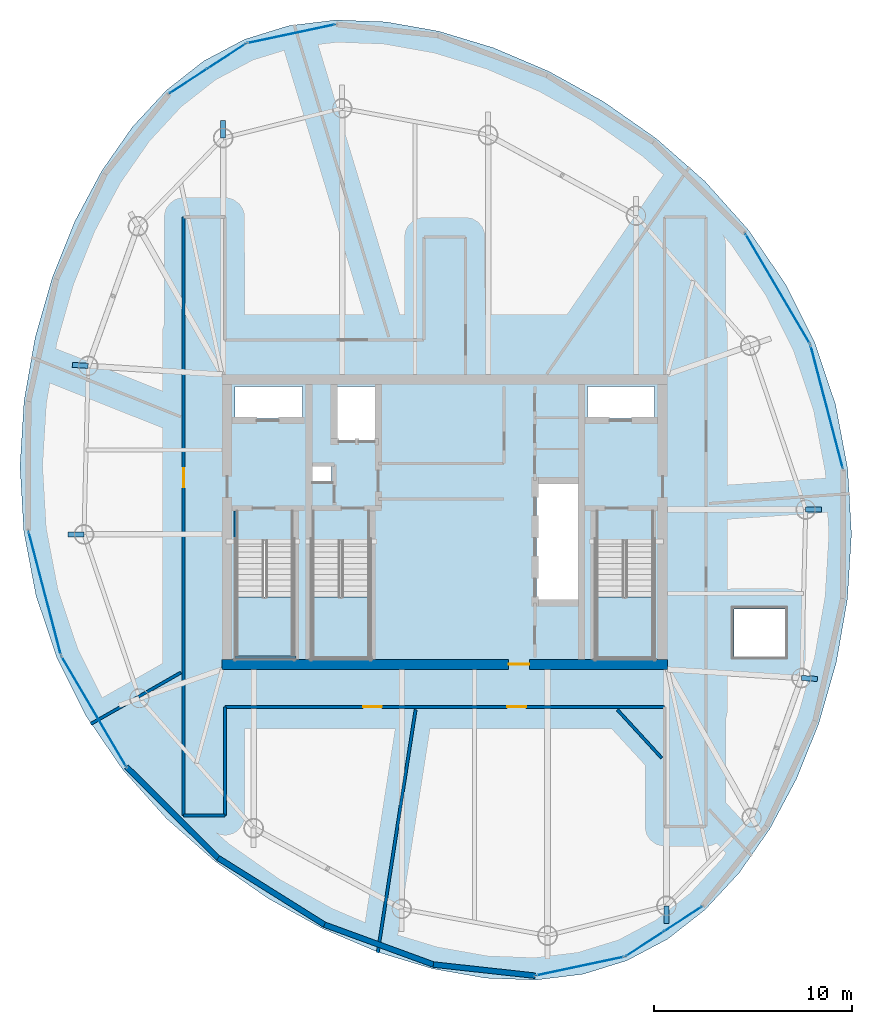
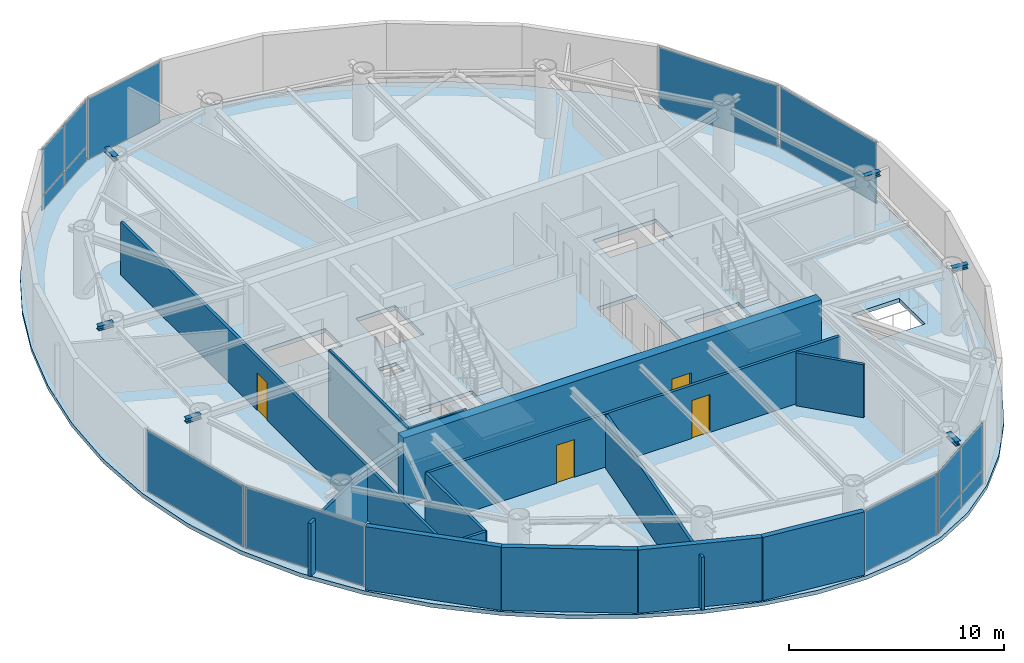
# One storey, part 14 of 20: 14 plates, 14 walls, 6 beams, 4 doors, 4 slabs, 4 openings, 11 elements without a shape of their own.
"""IFC4 building model written with IfcOpenShell, lengths in metres."""

from ifc_helpers import new_model, si_unit, direction, frame, frame_2d, origin, origin_2d, place, context, subcontext, project, spatial, polyline, rectangle, i_section, outline, extrude, material, layer, layer_set, material_profile, profile_set, type_object, element, fill, aggregate, save


model = new_model("IFC4")

# Units and contexts
model_context = context("Model", 3, precision=1e-05, world=origin(), true_north=direction((0.0, 1.0)))
body_context = subcontext(model_context, "Body", "Model", "MODEL_VIEW")
ifc_project = project(units=[si_unit("LENGTHUNIT", "METRE"), si_unit("AREAUNIT", "SQUARE_METRE"), si_unit("VOLUMEUNIT", "CUBIC_METRE"), si_unit("PLANEANGLEUNIT", "RADIAN"), si_unit("MASSUNIT", "GRAM", prefix="KILO")], contexts=[model_context])

# Site, building, storey
site_placement = place(None, origin())
site = spatial("IfcSite", under=ifc_project, at=site_placement, CompositionType="ELEMENT")
building_placement = place(site_placement, origin())
building = spatial("IfcBuilding", under=site, at=building_placement, Name="Bramvorn Convention Spire", CompositionType="ELEMENT")
storey_placement = place(building_placement, frame((0.0, 0.0, 303.64990234375)))
storey = spatial("IfcBuildingStorey", under=building, at=storey_placement, Name="L77", CompositionType="ELEMENT", Elevation=303.64990234375)

# Beams
ifc_material_1 = material(Name="Steel CSA G40.21 Grade 350 (350W)", Category="steel")
ifc_material_profile = material_profile(ifc_material_1, i_section(OverallWidth=0.25390625, OverallDepth=0.2529296875, WebThickness=0.008544921875, FlangeThickness=0.01416015625, FilletRadius=0.011962890625, at=origin_2d()))
ifc_profile_set = profile_set([ifc_material_profile], Name="Steel CSA G40.21 Grade 350 (350W) - W250X73")
beam_type = type_object("IfcBeamType", Name="BM-W250X73", PredefinedType="BEAM", material=ifc_profile_set)
beam_1_placement = place(storey_placement, frame((49.199951171875, 6.60107421875, 3.4736328125), z_axis=(0.0, -1.0, 0.0), x_axis=(1.0, 0.0, 0.0)))
element("IfcBeam", 1, at=beam_1_placement, inside=storey, type_object=beam_type, Name="L77 slab-edge cantilever tip beam MC01", PredefinedType="BEAM", context=body_context, shape_type="SweptSolid", body=[
    extrude(i_section(OverallWidth=0.25390625, OverallDepth=0.2529296875, WebThickness=0.008544921875, FlangeThickness=0.01416015625, FilletRadius=0.011962890625, at=origin_2d()), origin(), (0.0, 0.0, 1.0), 0.886474609375),
])
for number, where, z_axis, x_axis, name in (
    (2, (56.023681640625, 18.116455078125, 3.4736328125), (0.997963713083, -0.063784225087, 0.0), (0.063784225087, 0.997963713083, 0.0), "L77 slab-edge cantilever tip beam MC03"),
    (3, (56.234619140625, 26.62939453125, 3.4736328125), (1.0, 0.0, 0.0), (0.0, 1.0, 0.0), "L77 slab-edge cantilever tip beam MC04"),
):
    element("IfcBeam", number, at=place(storey_placement, frame(where, z_axis=z_axis, x_axis=x_axis)), inside=storey, type_object=beam_type, Name=name, PredefinedType="BEAM", context=body_context, shape_type="SweptSolid", body=[
        extrude(i_section(OverallWidth=0.25390625, OverallDepth=0.2529296875, WebThickness=0.008544921875, FlangeThickness=0.01416015625, FilletRadius=0.011962890625, at=origin_2d()), origin(), (0.0, 0.0, 1.0), 0.800048828125),
    ])
beam_2_placement = place(storey_placement, frame((26.800048828125, 45.39892578125, 3.4736328125), z_axis=(0.0, 1.0, 0.0), x_axis=(-1.0, 0.0, 0.0)))
element("IfcBeam", 4, at=beam_2_placement, inside=storey, type_object=beam_type, Name="L77 slab-edge cantilever tip beam MC09", PredefinedType="BEAM", context=body_context, shape_type="SweptSolid", body=[
    extrude(i_section(OverallWidth=0.25390625, OverallDepth=0.2529296875, WebThickness=0.008544921875, FlangeThickness=0.01416015625, FilletRadius=0.011962890625, at=origin_2d()), origin(), (0.0, 0.0, 1.0), 0.886474609375),
])
for number, where, z_axis, x_axis, name in (
    (5, (19.976318359375, 33.883544921875, 3.4736328125), (-0.997963713083, 0.063784225087, 0.0), (-0.063784225087, -0.997963713083, 0.0), "L77 slab-edge cantilever tip beam MC11"),
    (6, (19.765380859375, 25.37060546875, 3.4736328125), (-1.0, 0.0, 0.0), (0.0, -1.0, 0.0), "L77 slab-edge cantilever tip beam MC12"),
):
    element("IfcBeam", number, at=place(storey_placement, frame(where, z_axis=z_axis, x_axis=x_axis)), inside=storey, type_object=beam_type, Name=name, PredefinedType="BEAM", context=body_context, shape_type="SweptSolid", body=[
        extrude(i_section(OverallWidth=0.25390625, OverallDepth=0.2529296875, WebThickness=0.008544921875, FlangeThickness=0.01416015625, FilletRadius=0.011962890625, at=origin_2d()), origin(), (0.0, 0.0, 1.0), 0.800048828125),
    ])

# Curtain wall, plates
ifc_material_2 = material(Name="Anodised Bronze Unitised Curtain Wall", Category="aluminium")
ifc_layer_1 = layer(ifc_material_2, 0.179931640625)
ifc_layer_set_1 = layer_set([ifc_layer_1], Name="Anodised Bronze Unitised Curtain Wall - CW-OFF-FRIT")
curtain_wall_type = type_object("IfcCurtainWallType", Name="CW-OFF-FRIT", PredefinedType="USERDEFINED", material=ifc_layer_set_1)
curtain_wall_1_placement = place(storey_placement, origin())
curtain_wall_1 = element("IfcCurtainWall", 7, at=curtain_wall_1_placement, inside=storey, type_object=curtain_wall_type, Name="L77 fritted glass curtain wall 01", ObjectType="UNITISED CURTAIN WALL", PredefinedType="USERDEFINED")
ifc_material_3 = material(Name="Laminated Low-E Glass (Triple IGU High-VLT Low-Iron 22%)", Category="glass")
ifc_layer_2 = layer(ifc_material_3, 0.0419921875)
ifc_layer_set_2 = layer_set([ifc_layer_2], Name="Laminated Low-E Glass (Triple IGU High-VLT Low-Iron 22%) - PNL-IGU-4")
plate_type = type_object("IfcPlateType", Name="PNL-IGU-4", PredefinedType="CURTAIN_PANEL", material=ifc_layer_set_2)
plate_1_placement = place(storey_placement, frame((50.02880859375, 5.9345703125, 0.06005859375), z_axis=(0.0, 0.0, 1.0), x_axis=(-0.837761567626, -0.546036222066, 0.0)))
plate_1 = element("IfcPlate", 8, at=plate_1_placement, type_object=plate_type, Name="CW3 panel 1.1", PredefinedType="CURTAIN_PANEL", context=body_context, shape_type="SweptSolid", body=[
    extrude(rectangle(XDim=2.2353515625, YDim=0.028076171875, at=origin_2d()), origin(), (0.0, 0.0, 1.0), 0.81005859375),
])
plate_2_placement = place(storey_placement, frame((50.02880859375, 5.9345703125, 0.93017578125), z_axis=(0.0, 0.0, 1.0), x_axis=(-0.837761567626, -0.546036222066, 0.0)))
plate_2 = element("IfcPlate", 9, at=plate_2_placement, type_object=plate_type, Name="CW3 panel 1.2", PredefinedType="CURTAIN_PANEL", context=body_context, shape_type="SweptSolid", body=[
    extrude(rectangle(XDim=2.2353515625, YDim=0.028076171875, at=origin_2d()), origin(), (0.0, 0.0, 1.0), 2.610107421875),
])
plate_3_placement = place(storey_placement, frame((48.10595703125, 4.68115234375, 0.06005859375), z_axis=(0.0, 0.0, 1.0), x_axis=(-0.837761567626, -0.546036222066, 0.0)))
plate_3 = element("IfcPlate", 10, at=plate_3_placement, type_object=plate_type, Name="CW3 panel 2.1", PredefinedType="CURTAIN_PANEL", context=body_context, shape_type="SweptSolid", body=[
    extrude(rectangle(XDim=2.2353515625, YDim=0.028076171875, at=origin_2d()), origin(), (0.0, 0.0, 1.0), 0.81005859375),
])
plate_4_placement = place(storey_placement, frame((48.10595703125, 4.68115234375, 0.93017578125), z_axis=(0.0, 0.0, 1.0), x_axis=(-0.837761567626, -0.546036222066, 0.0)))
plate_4 = element("IfcPlate", 11, at=plate_4_placement, type_object=plate_type, Name="CW3 panel 2.2", PredefinedType="CURTAIN_PANEL", context=body_context, shape_type="SweptSolid", body=[
    extrude(rectangle(XDim=2.2353515625, YDim=0.028076171875, at=origin_2d()), origin(), (0.0, 0.0, 1.0), 2.610107421875),
])
aggregate(curtain_wall_1, [plate_1, plate_2, plate_3, plate_4])

# Curtain wall, plate
curtain_wall_2_placement = place(storey_placement, origin())
curtain_wall_2 = element("IfcCurtainWall", 12, at=curtain_wall_2_placement, inside=storey, type_object=curtain_wall_type, Name="L77 fritted glass curtain wall 06", ObjectType="UNITISED CURTAIN WALL", PredefinedType="USERDEFINED")
plate_5_placement = place(storey_placement, frame((57.29736328125, 31.81201171875, 0.06005859375), z_axis=(0.0, 0.0, 1.0), x_axis=(0.253227619643, -0.967406725556, 0.0)))
plate_5 = element("IfcPlate", 13, at=plate_5_placement, type_object=plate_type, Name="CW3 panel 1.1", PredefinedType="CURTAIN_PANEL", context=body_context, shape_type="SweptSolid", body=[
    extrude(rectangle(XDim=6.406982421875, YDim=0.028076171875, at=origin_2d()), origin(), (0.0, 0.0, 1.0), 3.47998046875),
])
aggregate(curtain_wall_2, [plate_5])

curtain_wall_3_placement = place(storey_placement, origin())
curtain_wall_3 = element("IfcCurtainWall", 14, at=curtain_wall_3_placement, inside=storey, type_object=curtain_wall_type, Name="L77 fritted glass curtain wall 07", ObjectType="UNITISED CURTAIN WALL", PredefinedType="USERDEFINED")
plate_6_placement = place(storey_placement, frame((54.818115234375, 37.783203125, 0.06005859375), z_axis=(0.0, 0.0, 1.0), x_axis=(0.506499786844, -0.862240086013, 0.0)))
plate_6 = element("IfcPlate", 15, at=plate_6_placement, type_object=plate_type, Name="CW3 panel 1.1", PredefinedType="CURTAIN_PANEL", context=body_context, shape_type="SweptSolid", body=[
    extrude(rectangle(XDim=6.406982421875, YDim=0.028076171875, at=origin_2d()), origin(), (0.0, 0.0, 1.0), 3.47998046875),
])
aggregate(curtain_wall_3, [plate_6])

curtain_wall_4_placement = place(storey_placement, origin())
curtain_wall_4 = element("IfcCurtainWall", 16, at=curtain_wall_4_placement, inside=storey, type_object=curtain_wall_type, Name="L77 fritted glass curtain wall 12", ObjectType="UNITISED CURTAIN WALL", PredefinedType="USERDEFINED")
plate_7_placement = place(storey_placement, frame((30.234619140625, 50.662109375, 0.06005859375), z_axis=(0.0, 0.0, 1.0), x_axis=(0.97813534622, 0.207969335421, 0.0)))
plate_7 = element("IfcPlate", 17, at=plate_7_placement, type_object=plate_type, Name="CW3 panel 1.1", PredefinedType="CURTAIN_PANEL", context=body_context, shape_type="SweptSolid", body=[
    extrude(rectangle(XDim=4.53076171875, YDim=0.028076171875, at=origin_2d()), origin(), (0.0, 0.0, 1.0), 3.47998046875),
])
aggregate(curtain_wall_4, [plate_7])

# Curtain wall, plates
curtain_wall_5_placement = place(storey_placement, origin())
curtain_wall_5 = element("IfcCurtainWall", 18, at=curtain_wall_5_placement, inside=storey, type_object=curtain_wall_type, Name="L77 fritted glass curtain wall 13", ObjectType="UNITISED CURTAIN WALL", PredefinedType="USERDEFINED")
plate_8_placement = place(storey_placement, frame((25.05078125, 48.281982421875, 0.06005859375), z_axis=(0.0, 0.0, 1.0), x_axis=(0.837755156336, 0.546046058527, 0.0)))
plate_8 = element("IfcPlate", 19, at=plate_8_placement, type_object=plate_type, Name="CW3 panel 1.1", PredefinedType="CURTAIN_PANEL", context=body_context, shape_type="SweptSolid", body=[
    extrude(rectangle(XDim=2.2353515625, YDim=0.028076171875, at=origin_2d()), origin(), (0.0, 0.0, 1.0), 0.81005859375),
])
plate_9_placement = place(storey_placement, frame((25.05078125, 48.281982421875, 0.93017578125), z_axis=(0.0, 0.0, 1.0), x_axis=(0.837755156336, 0.546046058527, 0.0)))
plate_9 = element("IfcPlate", 20, at=plate_9_placement, type_object=plate_type, Name="CW3 panel 1.2", PredefinedType="CURTAIN_PANEL", context=body_context, shape_type="SweptSolid", body=[
    extrude(rectangle(XDim=2.2353515625, YDim=0.028076171875, at=origin_2d()), origin(), (0.0, 0.0, 1.0), 2.610107421875),
])
plate_10_placement = place(storey_placement, frame((26.9736328125, 49.535400390625, 0.06005859375), z_axis=(0.0, 0.0, 1.0), x_axis=(0.837755156336, 0.546046058527, 0.0)))
plate_10 = element("IfcPlate", 21, at=plate_10_placement, type_object=plate_type, Name="CW3 panel 2.1", PredefinedType="CURTAIN_PANEL", context=body_context, shape_type="SweptSolid", body=[
    extrude(rectangle(XDim=2.2353515625, YDim=0.028076171875, at=origin_2d()), origin(), (0.0, 0.0, 1.0), 0.81005859375),
])
plate_11_placement = place(storey_placement, frame((26.9736328125, 49.535400390625, 0.93017578125), z_axis=(0.0, 0.0, 1.0), x_axis=(0.837755156336, 0.546046058527, 0.0)))
plate_11 = element("IfcPlate", 22, at=plate_11_placement, type_object=plate_type, Name="CW3 panel 2.2", PredefinedType="CURTAIN_PANEL", context=body_context, shape_type="SweptSolid", body=[
    extrude(rectangle(XDim=2.2353515625, YDim=0.028076171875, at=origin_2d()), origin(), (0.0, 0.0, 1.0), 2.610107421875),
])
aggregate(curtain_wall_5, [plate_8, plate_9, plate_10, plate_11])

# Curtain wall, plate
curtain_wall_6_placement = place(storey_placement, origin())
curtain_wall_6 = element("IfcCurtainWall", 23, at=curtain_wall_6_placement, inside=storey, type_object=curtain_wall_type, Name="L77 fritted glass curtain wall 18", ObjectType="UNITISED CURTAIN WALL", PredefinedType="USERDEFINED")
plate_12_placement = place(storey_placement, frame((17.7822265625, 22.404296875, 0.06005859375), z_axis=(0.0, 0.0, 1.0), x_axis=(-0.253227619643, 0.967406725556, 0.0)))
plate_12 = element("IfcPlate", 24, at=plate_12_placement, type_object=plate_type, Name="CW3 panel 1.1", PredefinedType="CURTAIN_PANEL", context=body_context, shape_type="SweptSolid", body=[
    extrude(rectangle(XDim=6.406982421875, YDim=0.028076171875, at=origin_2d()), origin(), (0.0, 0.0, 1.0), 3.47998046875),
])
aggregate(curtain_wall_6, [plate_12])

curtain_wall_7_placement = place(storey_placement, origin())
curtain_wall_7 = element("IfcCurtainWall", 25, at=curtain_wall_7_placement, inside=storey, type_object=curtain_wall_type, Name="L77 fritted glass curtain wall 19", ObjectType="UNITISED CURTAIN WALL", PredefinedType="USERDEFINED")
plate_13_placement = place(storey_placement, frame((20.261474609375, 16.433349609375, 0.06005859375), z_axis=(0.0, 0.0, 1.0), x_axis=(-0.506499786844, 0.862240086013, 0.0)))
plate_13 = element("IfcPlate", 26, at=plate_13_placement, type_object=plate_type, Name="CW3 panel 1.1", PredefinedType="CURTAIN_PANEL", context=body_context, shape_type="SweptSolid", body=[
    extrude(rectangle(XDim=6.406982421875, YDim=0.028076171875, at=origin_2d()), origin(), (0.0, 0.0, 1.0), 3.47998046875),
])
aggregate(curtain_wall_7, [plate_13])

curtain_wall_8_placement = place(storey_placement, origin())
curtain_wall_8 = element("IfcCurtainWall", 27, at=curtain_wall_8_placement, inside=storey, type_object=curtain_wall_type, Name="L77 fritted glass curtain wall 24", ObjectType="UNITISED CURTAIN WALL", PredefinedType="USERDEFINED")
plate_14_placement = place(storey_placement, frame((44.844970703125, 3.554443359375, 0.06005859375), z_axis=(0.0, 0.0, 1.0), x_axis=(-0.978134416192, -0.207973709543, 0.0)))
plate_14 = element("IfcPlate", 28, at=plate_14_placement, type_object=plate_type, Name="CW3 panel 1.1", PredefinedType="CURTAIN_PANEL", context=body_context, shape_type="SweptSolid", body=[
    extrude(rectangle(XDim=4.530517578125, YDim=0.028076171875, at=origin_2d()), origin(), (0.0, 0.0, 1.0), 3.47998046875),
])
aggregate(curtain_wall_8, [plate_14])

# Stair, slab
ifc_material_4 = material(Name="Concrete C40/50 Precast Stair", Category="concrete")
stair_type = type_object("IfcStairType", Name="ST-TOWER-1550", PredefinedType="HALF_TURN_STAIR", material=ifc_material_4)
stair_1_placement = place(storey_placement, origin())
stair_1 = element("IfcStair", 29, at=stair_1_placement, inside=storey, type_object=stair_type, Name="L77 Protected Exit Stair ST1", PredefinedType="HALF_TURN_STAIR")
ifc_material_5 = material(Name="Concrete C40/50 Stair Landing", Category="concrete")
ifc_layer_3 = layer(ifc_material_5, 0.219970703125)
ifc_layer_set_3 = layer_set([ifc_layer_3], Name="Concrete C40/50 Stair Landing - SLB-STAIR-LANDING")
slab_type_1 = type_object("IfcSlabType", Name="SLB-STAIR-LANDING", PredefinedType="LANDING", material=ifc_layer_set_3)
slab_1_placement = place(storey_placement, frame((0.0, 0.0, 1.72509765625)))
slab_1 = element("IfcSlab", 30, at=slab_1_placement, type_object=slab_type_1, Name="ST1 landing 1", PredefinedType="LANDING", context=body_context, shape_type="SweptSolid", body=[
    extrude(outline(polyline([(27.449951171875, 22.199951171875), (27.449951171875, 19.10009765625), (30.35009765625, 19.10009765625), (30.35009765625, 22.199951171875), (27.449951171875, 22.199951171875)])), origin(), (0.0, 0.0, 1.0), 0.199951171875),
])
aggregate(stair_1, [slab_1])

stair_2_placement = place(storey_placement, origin())
stair_2 = element("IfcStair", 31, at=stair_2_placement, inside=storey, type_object=stair_type, Name="L77 Protected Exit Stair ST2", PredefinedType="HALF_TURN_STAIR")
slab_2_placement = place(storey_placement, frame((0.0, 0.0, 1.72509765625)))
slab_2 = element("IfcSlab", 32, at=slab_2_placement, type_object=slab_type_1, Name="ST2 landing 1", PredefinedType="LANDING", context=body_context, shape_type="SweptSolid", body=[
    extrude(outline(polyline([(45.64990234375, 22.199951171875), (45.64990234375, 19.10009765625), (48.550048828125, 19.10009765625), (48.550048828125, 22.199951171875), (45.64990234375, 22.199951171875)])), origin(), (0.0, 0.0, 1.0), 0.199951171875),
])
aggregate(stair_2, [slab_2])

stair_3_placement = place(storey_placement, origin())
stair_3 = element("IfcStair", 33, at=stair_3_placement, inside=storey, type_object=stair_type, Name="L77 Protected Exit Stair ST3", PredefinedType="HALF_TURN_STAIR")
slab_3_placement = place(storey_placement, frame((0.0, 0.0, 1.72509765625)))
slab_3 = element("IfcSlab", 34, at=slab_3_placement, type_object=slab_type_1, Name="ST3 landing 1", PredefinedType="LANDING", context=body_context, shape_type="SweptSolid", body=[
    extrude(outline(polyline([(31.300048828125, 22.199951171875), (31.300048828125, 19.10009765625), (34.199951171875, 19.10009765625), (34.199951171875, 22.199951171875), (31.300048828125, 22.199951171875)])), origin(), (0.0, 0.0, 1.0), 0.199951171875),
])
aggregate(stair_3, [slab_3])

# Slab
ifc_material_6 = material(Name="Concrete C40/50", Category="concrete")
ifc_layer_4 = layer(ifc_material_6, 0.22509765625)
ifc_layer_set_4 = layer_set([ifc_layer_4], Name="Concrete C40/50 - SLB-Z4-225")
slab_type_2 = type_object("IfcSlabType", Name="SLB-Z4-225", PredefinedType="FLOOR", material=ifc_layer_set_4)
slab_4_placement = place(storey_placement, frame((0.0, 0.0, -0.224853515625)))
element("IfcSlab", 35, at=slab_4_placement, inside=storey, type_object=slab_type_2, Name="L77 tower floor slab", PredefinedType="FLOOR", context=body_context, shape_type="SweptSolid", body=[
    extrude(outline(polyline([(47.20361328125, 3.8349609375), (49.256591796875, 4.9208984375), (51.14599609375, 6.401611328125), (52.8701171875, 8.264892578125), (54.42041015625, 10.4873046875), (55.77783203125, 13.03369140625), (56.91162109375, 15.85791015625), (57.781982421875, 18.90283203125), (58.342529296875, 22.103271484375), (58.547119140625, 25.389404296875), (58.35546875, 28.689453125), (57.739990234375, 31.9345703125), (56.6904296875, 35.060302734375), (55.21728515625, 38.010009765625), (53.35302734375, 40.73681640625), (51.150634765625, 43.201904296875), (48.678466796875, 45.37646484375), (46.015869140625, 47.238525390625), (43.244873046875, 48.771484375), (40.444091796875, 49.961669921875), (37.681884765625, 50.7978515625), (35.013427734375, 51.268310546875), (32.4765625, 51.3623046875), (30.09423828125, 51.0693359375), (27.8759765625, 50.381591796875), (25.822998046875, 49.295654296875), (23.93359375, 47.81494140625), (22.209716796875, 45.95166015625), (20.6591796875, 43.729248046875), (19.3017578125, 41.1826171875), (18.16796875, 38.358642578125), (17.297607421875, 35.313720703125), (16.7373046875, 32.11328125), (16.53271484375, 28.8271484375), (16.72412109375, 25.527099609375), (17.339599609375, 22.281982421875), (18.38916015625, 19.15625), (19.8623046875, 16.206298828125), (21.7265625, 13.479736328125), (23.928955078125, 11.0146484375), (26.401123046875, 8.840087890625), (29.063720703125, 6.977783203125), (31.834716796875, 5.445068359375), (34.635498046875, 4.2548828125), (37.397705078125, 3.418701171875), (40.066162109375, 2.9482421875), (42.60302734375, 2.854248046875), (44.9853515625, 3.147216796875), (47.20361328125, 3.8349609375)]), holes=[polyline([(27.449951171875, 25.050048828125), (27.449951171875, 19.10009765625), (30.35009765625, 19.10009765625), (30.35009765625, 25.050048828125), (27.449951171875, 25.050048828125)]), polyline([(45.64990234375, 25.050048828125), (45.64990234375, 19.10009765625), (48.550048828125, 19.10009765625), (48.550048828125, 25.050048828125), (45.64990234375, 25.050048828125)]), polyline([(31.300048828125, 25.050048828125), (31.300048828125, 19.10009765625), (34.199951171875, 19.10009765625), (34.199951171875, 25.050048828125), (31.300048828125, 25.050048828125)]), polyline([(27.39990234375, 31.219970703125), (30.800048828125, 31.219970703125), (30.800048828125, 32.85009765625), (27.39990234375, 32.85009765625), (27.39990234375, 31.219970703125)]), polyline([(45.199951171875, 31.219970703125), (48.60009765625, 31.219970703125), (48.60009765625, 32.85009765625), (45.199951171875, 32.85009765625), (45.199951171875, 31.219970703125)]), polyline([(32.449951171875, 30.14990234375), (34.56005859375, 30.14990234375), (34.56005859375, 32.85009765625), (32.449951171875, 32.85009765625), (32.449951171875, 30.14990234375)]), polyline([(42.6201171875, 22.0), (44.75, 22.0), (44.75, 28.0), (42.6201171875, 28.0), (42.6201171875, 22.0)]), polyline([(31.320068359375, 28.02001953125), (32.280029296875, 28.02001953125), (32.280029296875, 28.820068359375), (31.320068359375, 28.820068359375), (31.320068359375, 28.02001953125)]), polyline([(52.60009765625, 19.199951171875), (55.199951171875, 19.199951171875), (55.199951171875, 21.60009765625), (52.60009765625, 21.60009765625), (52.60009765625, 19.199951171875)])]), origin(), (0.0, 0.0, 1.0), 0.224853515625),
])

# Wall, opening, door
ifc_material_7 = material(Name="Concrete C50/60", Category="concrete")
ifc_layer_5 = layer(ifc_material_7, 0.5)
ifc_layer_set_5 = layer_set([ifc_layer_5], Name="Concrete C50/60 - WL-CORE-500")
wall_type_1 = type_object("IfcWallType", Name="WL-CORE-500", PredefinedType="SHEAR", material=ifc_layer_set_5)
wall_1_placement = place(storey_placement, frame((26.75, 18.800048828125, 0.0), z_axis=(0.0, 0.0, 1.0), x_axis=(1.0, 0.0, 0.0)))
wall_1 = element("IfcWall", 36, at=wall_1_placement, inside=storey, type_object=wall_type_1, Name="L77 South RC core shear wall", PredefinedType="SHEAR", context=body_context, shape_type="SweptSolid", body=[
    extrude(rectangle(XDim=22.5, YDim=0.5, at=frame_2d((11.25, 0.0))), origin(), (0.0, 0.0, 1.0), 3.85009765625),
])
opening_1_placement = place(wall_1_placement, frame((14.469970703125, 0.0, 0.0)))
opening_1 = element("IfcOpeningElement", 37, at=opening_1_placement, cuts=wall_1, Name="Opening DL-105", PredefinedType="OPENING", context=body_context, shape_type="SweptSolid", body=[
    extrude(rectangle(XDim=1.050048828125, YDim=2.14990234375, at=frame_2d((0.52490234375, 1.074951171875))), frame((0.0, 0.260009765625, 0.0), z_axis=(0.0, -1.0, 0.0), x_axis=(1.0, 0.0, 0.0)), (0.0, 0.0, 1.0), 0.52001953125),
])
ifc_material_8 = material(Name="Smoke-Sealed Fire Lobby Timber-Core Door", Category="wood")
door_type_1 = type_object("IfcDoorType", Name="DR-LOBBY-1050", OperationType="NOTDEFINED", PredefinedType="DOOR", material=ifc_material_8)
door_1_placement = place(opening_1_placement, origin())
door_1 = element("IfcDoor", 38, at=door_1_placement, inside=storey, type_object=door_type_1, Name="L77 South Lift Lobby fire door", OperationType="SINGLE_SWING_RIGHT", OverallHeight=2.14990234375, OverallWidth=1.050048828125, PredefinedType="DOOR", context=body_context, shape_type="SweptSolid", body=[
    extrude(rectangle(XDim=1.050048828125, YDim=2.14990234375, at=frame_2d((0.52490234375, 1.074951171875))), frame((0.0, 0.02490234375, 0.0), z_axis=(0.0, -1.0, 0.0), x_axis=(1.0, 0.0, 0.0)), (0.0, 0.0, 1.0), 0.050048828125),
])
fill(opening_1, door_1)

# Walls
ifc_material_9 = material(Name="Precast Concrete C40/50 with Bronze Terracotta Rainscreen", Category="masonry")
ifc_layer_6 = layer(ifc_material_9, 0.300048828125)
ifc_layer_set_6 = layer_set([ifc_layer_6], Name="Precast Concrete C40/50 with Bronze Terracotta Rainscreen - WL-EXT-BRONZE-300")
wall_type_2 = type_object("IfcWallType", Name="WL-EXT-BRONZE-300", PredefinedType="SOLIDWALL", material=ifc_layer_set_6)
wall_2_placement = place(storey_placement, frame((26.5419921875, 9.017578125, 0.0), z_axis=(0.0, 0.0, 1.0), x_axis=(-0.709068075652, 0.705140031548, 0.0)))
element("IfcWall", 39, at=wall_2_placement, inside=storey, type_object=wall_type_2, Name="L77 expressed bronze Gothic lancet pier wall 20", PredefinedType="SOLIDWALL", context=body_context, shape_type="SweptSolid", body=[
    extrude(rectangle(XDim=6.526123046875, YDim=0.280029296875, at=frame_2d((3.26318359375, 0.0))), origin(), (0.0, 0.0, 1.0), 3.60009765625),
])
wall_3_placement = place(storey_placement, frame((31.918701171875, 5.6484375, 0.0), z_axis=(0.0, 0.0, 1.0), x_axis=(-0.847381664832, 0.530984288003, 0.0)))
element("IfcWall", 40, at=wall_3_placement, inside=storey, type_object=wall_type_2, Name="L77 expressed bronze Gothic lancet pier wall 21", PredefinedType="SOLIDWALL", context=body_context, shape_type="SweptSolid", body=[
    extrude(rectangle(XDim=6.344970703125, YDim=0.280029296875, at=frame_2d((3.17236328125, 0.0))), origin(), (0.0, 0.0, 1.0), 3.60009765625),
])
wall_4_placement = place(storey_placement, frame((37.422119140625, 3.63525390625, 0.0), z_axis=(0.0, 0.0, 1.0), x_axis=(-0.939137277683, 0.343542098828, 0.0)))
element("IfcWall", 41, at=wall_4_placement, inside=storey, type_object=wall_type_2, Name="L77 expressed bronze Gothic lancet pier wall 22", PredefinedType="SOLIDWALL", context=body_context, shape_type="SweptSolid", body=[
    extrude(rectangle(XDim=5.860107421875, YDim=0.280029296875, at=frame_2d((2.93017578125, 0.0))), origin(), (0.0, 0.0, 1.0), 3.60009765625),
])
wall_5_placement = place(storey_placement, frame((42.570556640625, 3.07080078125, 0.0), z_axis=(0.0, 0.0, 1.0), x_axis=(-0.994043637574, 0.108982781206, 0.0)))
element("IfcWall", 42, at=wall_5_placement, inside=storey, type_object=wall_type_2, Name="L77 expressed bronze Gothic lancet pier wall 23", PredefinedType="SOLIDWALL", context=body_context, shape_type="SweptSolid", body=[
    extrude(rectangle(XDim=5.17919921875, YDim=0.280029296875, at=frame_2d((2.589599609375, 0.0))), origin(), (0.0, 0.0, 1.0), 3.60009765625),
])

# Wall, openings, doors
ifc_material_10 = material(Name="Acoustic Metal-Stud Tenant/Corridor Partition", Category="gypsum")
ifc_layer_7 = layer(ifc_material_10, 0.14990234375)
ifc_layer_set_7 = layer_set([ifc_layer_7], Name="Acoustic Metal-Stud Tenant/Corridor Partition - WL-PART-150")
wall_type_3 = type_object("IfcWallType", Name="WL-PART-150", PredefinedType="PARTITIONING", material=ifc_layer_set_7)
wall_6_placement = place(storey_placement, frame((26.89990234375, 16.64990234375, 0.0), z_axis=(0.0, 0.0, 1.0), x_axis=(1.0, 0.0, 0.0)))
wall_6 = element("IfcWall", 43, at=wall_6_placement, inside=storey, type_object=wall_type_3, Name="L77 South H-crossbar wall", PredefinedType="PARTITIONING", context=body_context, shape_type="SweptSolid", body=[
    extrude(rectangle(XDim=22.2001953125, YDim=0.14990234375, at=frame_2d((11.10009765625, 0.0))), origin(), (0.0, 0.0, 1.0), 3.01513671875),
])
opening_2_placement = place(wall_6_placement, frame((6.96533203125, 0.0, 0.0)))
opening_2 = element("IfcOpeningElement", 44, at=opening_2_placement, cuts=wall_6, Name="Opening DH-095", PredefinedType="OPENING", context=body_context, shape_type="SweptSolid", body=[
    extrude(rectangle(XDim=0.949951171875, YDim=2.14990234375, at=frame_2d((0.47509765625, 1.074951171875))), frame((0.0, 0.0849609375, 0.0), z_axis=(0.0, -1.0, 0.0), x_axis=(1.0, 0.0, 0.0)), (0.0, 0.0, 1.0), 0.169921875),
])
opening_3_placement = place(wall_6_placement, frame((14.250732421875, 0.0, 0.0)))
opening_3 = element("IfcOpeningElement", 45, at=opening_3_placement, cuts=wall_6, Name="Opening DH-095", PredefinedType="OPENING", context=body_context, shape_type="SweptSolid", body=[
    extrude(rectangle(XDim=0.949951171875, YDim=2.14990234375, at=frame_2d((0.47509765625, 1.074951171875))), frame((0.0, 0.0849609375, 0.0), z_axis=(0.0, -1.0, 0.0), x_axis=(1.0, 0.0, 0.0)), (0.0, 0.0, 1.0), 0.169921875),
])
ifc_material_11 = material(Name="Solid-Core Acoustic Guestroom Entry Door", Category="wood")
door_type_2 = type_object("IfcDoorType", Name="DR-HOTEL-950", OperationType="NOTDEFINED", PredefinedType="DOOR", material=ifc_material_11)
door_2_placement = place(opening_2_placement, origin())
door_2 = element("IfcDoor", 46, at=door_2_placement, inside=storey, type_object=door_type_2, Name="L77 Sommelier Wine Cellar Store 5 door", OperationType="SINGLE_SWING_LEFT", OverallHeight=2.14990234375, OverallWidth=0.949951171875, PredefinedType="DOOR", context=body_context, shape_type="SweptSolid", body=[
    extrude(rectangle(XDim=0.949951171875, YDim=2.14990234375, at=frame_2d((0.47509765625, 1.074951171875))), frame((0.0, 0.02490234375, 0.0), z_axis=(0.0, -1.0, 0.0), x_axis=(1.0, 0.0, 0.0)), (0.0, 0.0, 1.0), 0.050048828125),
])
fill(opening_2, door_2)
door_3_placement = place(opening_3_placement, origin())
door_3 = element("IfcDoor", 47, at=door_3_placement, inside=storey, type_object=door_type_2, Name="L77 Private Event Meeting Suite 6 door", OperationType="SINGLE_SWING_LEFT", OverallHeight=2.14990234375, OverallWidth=0.949951171875, PredefinedType="DOOR", context=body_context, shape_type="SweptSolid", body=[
    extrude(rectangle(XDim=0.949951171875, YDim=2.14990234375, at=frame_2d((0.47509765625, 1.074951171875))), frame((0.0, 0.02490234375, 0.0), z_axis=(0.0, -1.0, 0.0), x_axis=(1.0, 0.0, 0.0)), (0.0, 0.0, 1.0), 0.050048828125),
])
fill(opening_3, door_3)

# Wall, opening, door
wall_7_placement = place(storey_placement, frame((24.800048828125, 11.156494140625, 0.0), z_axis=(0.0, 0.0, 1.0), x_axis=(0.0, 1.0, 0.0)))
wall_7 = element("IfcWall", 48, at=wall_7_placement, inside=storey, type_object=wall_type_3, Name="L77 West N-S gallery outer wall", PredefinedType="PARTITIONING", context=body_context, shape_type="SweptSolid", body=[
    extrude(rectangle(XDim=30.243408203125, YDim=0.14990234375, at=frame_2d((15.12158203125, 0.0))), origin(), (0.0, 0.0, 1.0), 3.01513671875),
])
opening_4_placement = place(wall_7_placement, frame((16.59375, 0.0, 0.0)))
opening_4 = element("IfcOpeningElement", 49, at=opening_4_placement, cuts=wall_7, Name="Opening DH-095", PredefinedType="OPENING", context=body_context, shape_type="SweptSolid", body=[
    extrude(rectangle(XDim=0.949951171875, YDim=2.14990234375, at=frame_2d((0.47509765625, 1.074951171875))), frame((0.0, 0.0849609375, 0.0), z_axis=(0.0, -1.0, 0.0), x_axis=(1.0, 0.0, 0.0)), (0.0, 0.0, 1.0), 0.169921875),
])
door_4_placement = place(opening_4_placement, origin())
door_4 = element("IfcDoor", 50, at=door_4_placement, inside=storey, type_object=door_type_2, Name="L77 Exhibition Main Kitchen 4 door", OperationType="SINGLE_SWING_LEFT", OverallHeight=2.14990234375, OverallWidth=0.949951171875, PredefinedType="DOOR", context=body_context, shape_type="SweptSolid", body=[
    extrude(rectangle(XDim=0.949951171875, YDim=2.14990234375, at=frame_2d((0.47509765625, 1.074951171875))), frame((0.0, 0.02490234375, 0.0), z_axis=(0.0, -1.0, 0.0), x_axis=(1.0, 0.0, 0.0)), (0.0, 0.0, 1.0), 0.050048828125),
])
fill(opening_4, door_4)

# Walls
wall_8_placement = place(storey_placement, frame((26.89990234375, 11.156494140625, 0.0), z_axis=(0.0, 0.0, 1.0), x_axis=(0.0, 1.0, 0.0)))
element("IfcWall", 51, at=wall_8_placement, inside=storey, type_object=wall_type_3, Name="L77 West gallery SE wall", PredefinedType="PARTITIONING", context=body_context, shape_type="SweptSolid", body=[
    extrude(rectangle(XDim=5.493408203125, YDim=0.14990234375, at=frame_2d((2.74658203125, 0.0))), origin(), (0.0, 0.0, 1.0), 3.01513671875),
])
wall_9_placement = place(storey_placement, frame((24.800048828125, 11.156494140625, 0.0), z_axis=(0.0, 0.0, 1.0), x_axis=(1.0, 0.0, 0.0)))
element("IfcWall", 52, at=wall_9_placement, inside=storey, type_object=wall_type_3, Name="L77 West gallery south end", PredefinedType="PARTITIONING", context=body_context, shape_type="SweptSolid", body=[
    extrude(rectangle(XDim=2.099853515625, YDim=0.14990234375, at=frame_2d((1.0498046875, 0.0))), origin(), (0.0, 0.0, 1.0), 3.01513671875),
])
wall_10_placement = place(storey_placement, frame((24.659912109375, 18.38671875, 0.0), z_axis=(0.0, 0.0, 1.0), x_axis=(-0.868495322336, -0.495697362389, 0.0)))
element("IfcWall", 53, at=wall_10_placement, inside=storey, type_object=wall_type_3, Name="L77 Tenant suite partition 5", PredefinedType="PARTITIONING", context=body_context, shape_type="SweptSolid", body=[
    extrude(rectangle(XDim=5.240478515625, YDim=0.14990234375, at=frame_2d((2.6201171875, 0.0))), origin(), (0.0, 0.0, 1.0), 3.01513671875),
])
wall_11_placement = place(storey_placement, frame((36.521240234375, 16.510009765625, 0.0), z_axis=(0.0, 0.0, 1.0), x_axis=(-0.15396623611, -0.988076109487, 0.0)))
element("IfcWall", 54, at=wall_11_placement, inside=storey, type_object=wall_type_3, Name="L77 Tenant suite partition 6", PredefinedType="PARTITIONING", context=body_context, shape_type="SweptSolid", body=[
    extrude(rectangle(XDim=12.423828125, YDim=0.14990234375, at=frame_2d((6.2119140625, 0.0))), origin(), (0.0, 0.0, 1.0), 3.01513671875),
])
wall_12_placement = place(storey_placement, frame((46.7177734375, 16.510009765625, 0.0), z_axis=(0.0, 0.0, 1.0), x_axis=(0.676491436153, -0.736450498548, 0.0)))
element("IfcWall", 55, at=wall_12_placement, inside=storey, type_object=wall_type_3, Name="L77 Tenant suite partition 7", PredefinedType="PARTITIONING", context=body_context, shape_type="SweptSolid", body=[
    extrude(rectangle(XDim=3.314453125, YDim=0.14990234375, at=frame_2d((1.6572265625, 0.0))), origin(), (0.0, 0.0, 1.0), 3.01513671875),
])
ifc_layer_8 = layer(ifc_material_7, 0.1201171875)
ifc_layer_set_8 = layer_set([ifc_layer_8], Name="Concrete C50/60 - WL-STAIR-RC-120")
wall_type_4 = type_object("IfcWallType", Name="WL-STAIR-RC-120", PredefinedType="SHEAR", material=ifc_layer_set_8)
wall_13_placement = place(storey_placement, frame((27.39501953125, 19.10009765625, 0.0), z_axis=(0.0, 0.0, 1.0), x_axis=(0.0, 1.0, 0.0)))
element("IfcWall", 56, at=wall_13_placement, inside=storey, type_object=wall_type_4, Name="L77 ST1 west bearing shear wall", PredefinedType="SHEAR", context=body_context, shape_type="SweptSolid", body=[
    extrude(rectangle(XDim=7.449951171875, YDim=0.1201171875, at=frame_2d((3.72509765625, 0.0))), origin(), (0.0, 0.0, 1.0), 3.85009765625),
])
wall_14_placement = place(storey_placement, frame((27.39501953125, 19.159912109375, 0.0), z_axis=(0.0, 0.0, 1.0), x_axis=(1.0, 0.0, 0.0)))
element("IfcWall", 57, at=wall_14_placement, inside=storey, type_object=wall_type_4, Name="L77 ST1 south bearing shear wall", PredefinedType="SHEAR", context=body_context, shape_type="SweptSolid", body=[
    extrude(rectangle(XDim=3.094970703125, YDim=0.1201171875, at=frame_2d((1.54736328125, 0.0))), origin(), (0.0, 0.0, 1.0), 3.85009765625),
])

save(model, "model.ifc")
